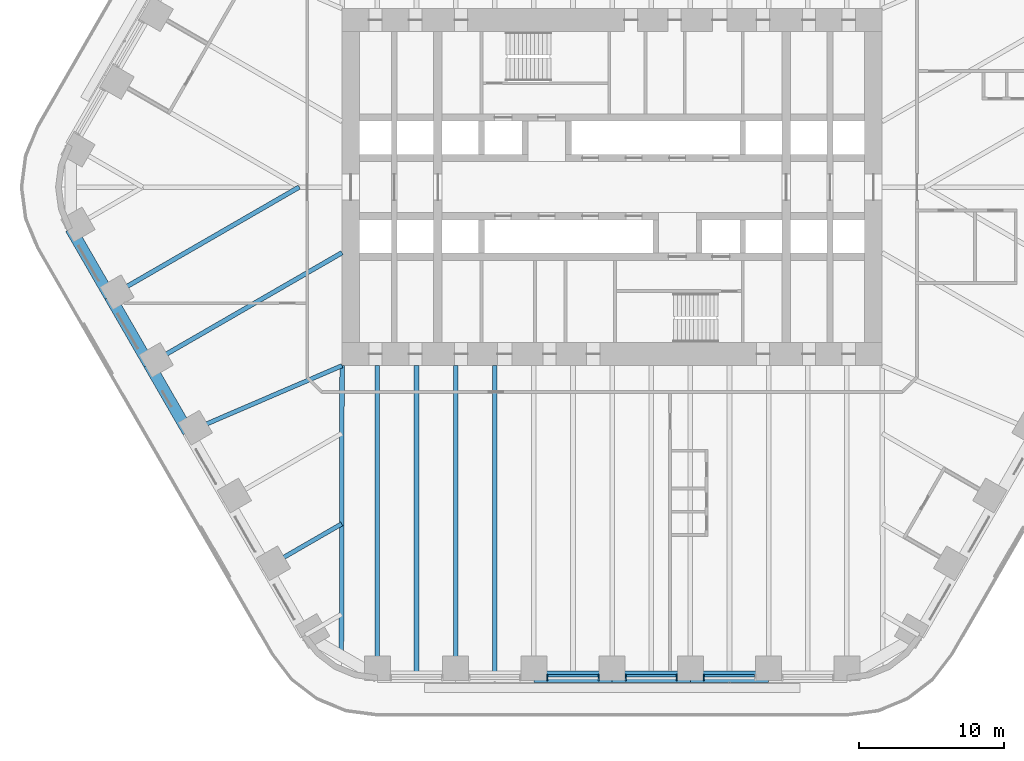
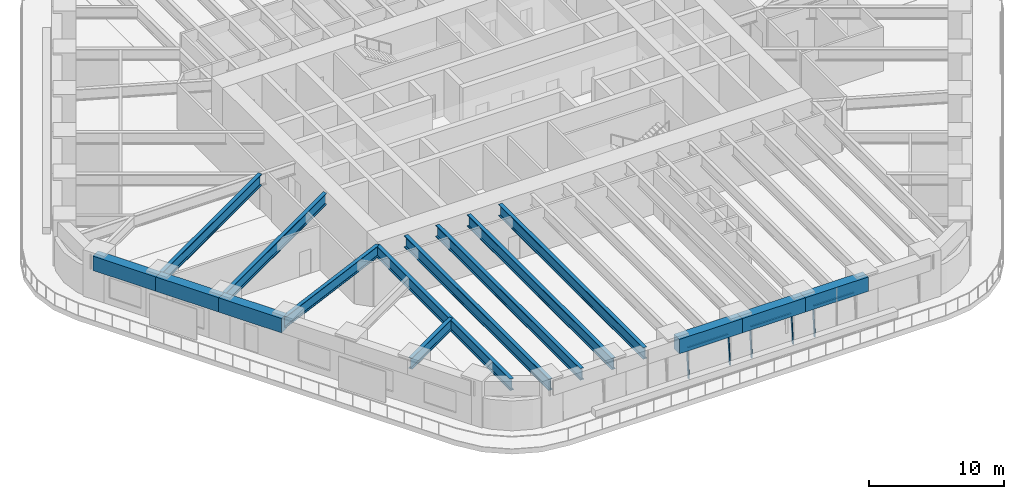
# One storey, part 3 of 24: 15 beams, 8 members, 3 elements without a shape of their own.
"""IFC4 building model written with IfcOpenShell, lengths in metres."""

from ifc_helpers import new_model, si_unit, direction, frame, origin, origin_2d, place, context, subcontext, project, spatial, rectangle, i_section, extrude, material, material_profile, profile_set, type_object, element, aggregate, save


model = new_model("IFC4")

# Units and contexts
model_context = context("Model", 3, precision=1e-05, world=origin(), true_north=direction((0.0, 1.0)))
body_context = subcontext(model_context, "Body", "Model", "MODEL_VIEW")
ifc_project = project(units=[si_unit("LENGTHUNIT", "METRE"), si_unit("AREAUNIT", "SQUARE_METRE"), si_unit("VOLUMEUNIT", "CUBIC_METRE"), si_unit("PLANEANGLEUNIT", "RADIAN"), si_unit("MASSUNIT", "GRAM", prefix="KILO")], contexts=[model_context])

# Site, building, storey
site_placement = place(None, origin())
site = spatial("IfcSite", under=ifc_project, at=site_placement, CompositionType="ELEMENT")
building_placement = place(site_placement, origin())
building = spatial("IfcBuilding", under=site, at=building_placement, Name="Tarfa Lantern Tower", CompositionType="ELEMENT")
storey_placement = place(building_placement, frame((0.0, 0.0, 94.89990234375)))
storey = spatial("IfcBuildingStorey", under=building, at=storey_placement, Name="L21", CompositionType="ELEMENT", Elevation=94.89990234375)

# Curtain wall, members
ifc_material_1 = material(Name="Aluminium framed curtain wall", Category="aluminium")
curtain_wall_type = type_object("IfcCurtainWallType", Name="CW1 CANTED GLAZING LOW ZONE 2700", PredefinedType="USERDEFINED", material=ifc_material_1)
curtain_wall_1_placement = place(storey_placement, origin())
curtain_wall_1 = element("IfcCurtainWall", 1, at=curtain_wall_1_placement, inside=storey, type_object=curtain_wall_type, Name="CW1 S L21", ObjectType="CURTAIN WALL", PredefinedType="USERDEFINED")
ifc_material_2 = material(Name="Aluminium mullion", Category="aluminium")
ifc_material_profile_1 = material_profile(ifc_material_2, rectangle(XDim=0.06494140625, YDim=0.199951171875, at=origin_2d()), Name="AL MULLION 65x200")
ifc_profile_set_1 = profile_set([ifc_material_profile_1], Name="Aluminium mullion")
member_type_1 = type_object("IfcMemberType", Name="CWM1 MULLION 65x200", PredefinedType="MULLION", material=ifc_profile_set_1)
member_1_placement = place(storey_placement, frame((-4.4560546875, -33.89990234375, 0.0), z_axis=(0.0, 0.092191598296, 0.995741286281), x_axis=(-1.0, 0.0, 0.0)))
member_1 = element("IfcMember", 2, at=member_1_placement, type_object=member_type_1, Name="CW1 mullion 1", PredefinedType="MULLION", context=body_context, shape_type="SweptSolid", body=[
    extrude(rectangle(XDim=0.06494140625, YDim=0.199951171875, at=origin_2d()), origin(), (0.0, 0.0, 1.0), 2.711669921875),
])
member_2_placement = place(storey_placement, frame((-0.9326171875, -33.89990234375, 0.0), z_axis=(0.0, 0.092191598296, 0.995741286281), x_axis=(-1.0, 0.0, 0.0)))
member_2 = element("IfcMember", 3, at=member_2_placement, type_object=member_type_1, Name="CW1 mullion 2", PredefinedType="MULLION", context=body_context, shape_type="SweptSolid", body=[
    extrude(rectangle(XDim=0.06494140625, YDim=0.199951171875, at=origin_2d()), origin(), (0.0, 0.0, 1.0), 2.711669921875),
])

curtain_wall_2_placement = place(storey_placement, origin())
curtain_wall_2 = element("IfcCurtainWall", 4, at=curtain_wall_2_placement, inside=storey, type_object=curtain_wall_type, Name="CW1 S L21", ObjectType="CURTAIN WALL", PredefinedType="USERDEFINED")
member_3_placement = place(storey_placement, frame((0.9326171875, -33.89990234375, 0.0), z_axis=(0.0, 0.092191598296, 0.995741286281), x_axis=(-1.0, 0.0, 0.0)))
member_3 = element("IfcMember", 5, at=member_3_placement, type_object=member_type_1, Name="CW1 mullion 1", PredefinedType="MULLION", context=body_context, shape_type="SweptSolid", body=[
    extrude(rectangle(XDim=0.06494140625, YDim=0.199951171875, at=origin_2d()), origin(), (0.0, 0.0, 1.0), 2.711669921875),
])
member_4_placement = place(storey_placement, frame((4.4560546875, -33.89990234375, 0.0), z_axis=(0.0, 0.092191598296, 0.995741286281), x_axis=(-1.0, 0.0, 0.0)))
member_4 = element("IfcMember", 6, at=member_4_placement, type_object=member_type_1, Name="CW1 mullion 2", PredefinedType="MULLION", context=body_context, shape_type="SweptSolid", body=[
    extrude(rectangle(XDim=0.06494140625, YDim=0.199951171875, at=origin_2d()), origin(), (0.0, 0.0, 1.0), 2.711669921875),
])

# Curtain wall, member
curtain_wall_3_placement = place(storey_placement, origin())
curtain_wall_3 = element("IfcCurtainWall", 7, at=curtain_wall_3_placement, inside=storey, type_object=curtain_wall_type, Name="CW1 S L21", ObjectType="CURTAIN WALL", PredefinedType="USERDEFINED")
member_5_placement = place(storey_placement, frame((6.321044921875, -33.89990234375, 0.0), z_axis=(0.0, 0.092191598296, 0.995741286281), x_axis=(-1.0, 0.0, 0.0)))
member_5 = element("IfcMember", 8, at=member_5_placement, type_object=member_type_1, Name="CW1 mullion 1", PredefinedType="MULLION", context=body_context, shape_type="SweptSolid", body=[
    extrude(rectangle(XDim=0.06494140625, YDim=0.199951171875, at=origin_2d()), origin(), (0.0, 0.0, 1.0), 2.711669921875),
])

# Member
ifc_material_3 = material(Name="Aluminium transom", Category="aluminium")
ifc_material_profile_2 = material_profile(ifc_material_3, rectangle(XDim=0.14990234375, YDim=0.06494140625, at=origin_2d()), Name="AL TRANSOM 150x65")
ifc_profile_set_2 = profile_set([ifc_material_profile_2], Name="Aluminium transom")
member_type_2 = type_object("IfcMemberType", Name="CWT1 TRANSOM 150x65", PredefinedType="USERDEFINED", material=ifc_profile_set_2)
member_6_placement = place(storey_placement, frame((-4.423583984375, -33.653076171875, 2.66748046875), z_axis=(1.0, 0.0, 0.0), x_axis=(0.0, 1.0, 0.0)))
member_6 = element("IfcMember", 9, at=member_6_placement, type_object=member_type_2, Name="CW1 transom 1.2", ObjectType="TRANSOM", PredefinedType="USERDEFINED", context=body_context, shape_type="SweptSolid", body=[
    extrude(rectangle(XDim=0.14990234375, YDim=0.06494140625, at=origin_2d()), origin(), (0.0, 0.0, 1.0), 3.45849609375),
])

aggregate(curtain_wall_1, [member_1, member_2, member_6])

member_7_placement = place(storey_placement, frame((0.965087890625, -33.653076171875, 2.66748046875), z_axis=(1.0, 0.0, 0.0), x_axis=(0.0, 1.0, 0.0)))
member_7 = element("IfcMember", 10, at=member_7_placement, type_object=member_type_2, Name="CW1 transom 1.2", ObjectType="TRANSOM", PredefinedType="USERDEFINED", context=body_context, shape_type="SweptSolid", body=[
    extrude(rectangle(XDim=0.14990234375, YDim=0.06494140625, at=origin_2d()), origin(), (0.0, 0.0, 1.0), 3.45849609375),
])

aggregate(curtain_wall_2, [member_3, member_4, member_7])

member_8_placement = place(storey_placement, frame((6.353515625, -33.653076171875, 2.66748046875), z_axis=(1.0, 0.0, 0.0), x_axis=(0.0, 1.0, 0.0)))
member_8 = element("IfcMember", 11, at=member_8_placement, type_object=member_type_2, Name="CW1 transom 1.2", ObjectType="TRANSOM", PredefinedType="USERDEFINED", context=body_context, shape_type="SweptSolid", body=[
    extrude(rectangle(XDim=0.14990234375, YDim=0.06494140625, at=origin_2d()), origin(), (0.0, 0.0, 1.0), 3.458740234375),
])

aggregate(curtain_wall_3, [member_5, member_8])

# Beams
ifc_material_4 = material(Name="Concrete C80/95", Category="concrete")
ifc_material_profile_3 = material_profile(ifc_material_4, rectangle(XDim=0.800048828125, YDim=1.300048828125, at=origin_2d()), Name="RC 800x1300")
ifc_profile_set_3 = profile_set([ifc_material_profile_3], Name="Concrete C80/95")
beam_type_1 = type_object("IfcBeamType", Name="EB1 RC 800x1300", PredefinedType="SPANDREL", material=ifc_profile_set_3)
beam_1_placement = place(storey_placement, frame((-37.285400390625, -2.860107421875, 3.35009765625), z_axis=(0.500017906299, -0.866015065331, 0.0), x_axis=(0.866015065331, 0.500017906299, 0.0)))
element("IfcBeam", 12, at=beam_1_placement, inside=storey, type_object=beam_type_1, Name="Edge beam SW0", PredefinedType="SPANDREL", context=body_context, shape_type="SweptSolid", body=[
    extrude(rectangle(XDim=0.800048828125, YDim=1.300048828125, at=origin_2d()), origin(), (0.0, 0.0, 1.0), 5.388427734375),
])
for number, where, z_axis, x_axis, name in (
    (13, (-34.591064453125, -7.526611328125, 3.35009765625), (0.499998287579, -0.866026392449, 0.0), (0.866026392449, 0.499998287579, 0.0), "Edge beam SW1"),
    (14, (-31.896728515625, -12.193359375, 3.35009765625), (0.499998287579, -0.866026392449, 0.0), (0.866026392449, 0.499998287579, 0.0), "Edge beam SW2"),
    (15, (-5.388671875, -33.719970703125, 3.35009765625), (1.0, 0.0, 0.0), (0.0, 1.0, 0.0), "Edge beam S2"),
    (16, (0.0, -33.719970703125, 3.35009765625), (1.0, 0.0, 0.0), (0.0, 1.0, 0.0), "Edge beam S3"),
):
    element("IfcBeam", number, at=place(storey_placement, frame(where, z_axis=z_axis, x_axis=x_axis)), inside=storey, type_object=beam_type_1, Name=name, PredefinedType="SPANDREL", context=body_context, shape_type="SweptSolid", body=[
        extrude(rectangle(XDim=0.800048828125, YDim=1.300048828125, at=origin_2d()), origin(), (0.0, 0.0, 1.0), 5.388671875),
    ])
beam_2_placement = place(storey_placement, frame((5.388671875, -33.719970703125, 3.35009765625), z_axis=(1.0, 0.0, 0.0), x_axis=(0.0, 1.0, 0.0)))
element("IfcBeam", 17, at=beam_2_placement, inside=storey, type_object=beam_type_1, Name="Edge beam S4", PredefinedType="SPANDREL", context=body_context, shape_type="SweptSolid", body=[
    extrude(rectangle(XDim=0.800048828125, YDim=1.300048828125, at=origin_2d()), origin(), (0.0, 0.0, 1.0), 5.388427734375),
])
ifc_material_5 = material(Name="Steel S460M", Category="steel")
ifc_material_profile_4 = material_profile(ifc_material_5, i_section(OverallWidth=0.302001953125, OverallDepth=1.008056640625, WebThickness=0.02099609375, FlangeThickness=0.0400390625, FilletRadius=0.030029296875, at=origin_2d()), Name="UB1016x305x349")
ifc_profile_set_4 = profile_set([ifc_material_profile_4], Name="Steel S460M")
beam_type_2 = type_object("IfcBeamType", Name="UB1016x305x349", PredefinedType="BEAM", material=ifc_profile_set_4)
beam_3_placement = place(storey_placement, frame((-29.202392578125, -16.860107421875, 3.49609375), z_axis=(0.918635483867, 0.395106122175, 0.0), x_axis=(-0.395106122175, 0.918635483867, 0.0)))
element("IfcBeam", 18, at=beam_3_placement, inside=storey, type_object=beam_type_2, Name="Floor beam SW3", PredefinedType="BEAM", context=body_context, shape_type="SweptSolid", body=[
    extrude(i_section(OverallWidth=0.302001953125, OverallDepth=1.008056640625, WebThickness=0.02099609375, FlangeThickness=0.0400390625, FilletRadius=0.030029296875, at=origin_2d()), origin(), (0.0, 0.0, 1.0), 11.541259765625),
])
beam_4_placement = place(storey_placement, frame((-23.813720703125, -26.193359375, 3.49609375), z_axis=(0.866015997389, 0.500016292001, 0.0), x_axis=(-0.500016292001, 0.866015997389, 0.0)))
element("IfcBeam", 19, at=beam_4_placement, inside=storey, type_object=beam_type_2, Name="Floor beam SW5", PredefinedType="BEAM", context=body_context, shape_type="SweptSolid", body=[
    extrude(i_section(OverallWidth=0.302001953125, OverallDepth=1.008056640625, WebThickness=0.02099609375, FlangeThickness=0.0400390625, FilletRadius=0.030029296875, at=origin_2d()), origin(), (0.0, 0.0, 1.0), 5.993408203125),
])
ifc_material_profile_5 = material_profile(ifc_material_5, i_section(OverallWidth=0.314208984375, OverallDepth=1.055908203125, WebThickness=0.035888671875, FlangeThickness=0.06396484375, FilletRadius=0.030029296875, at=origin_2d()), Name="UB1016x305x584")
ifc_profile_set_5 = profile_set([ifc_material_profile_5], Name="Steel S460M")
beam_type_3 = type_object("IfcBeamType", Name="UB1016x305x584", PredefinedType="BEAM", material=ifc_profile_set_5)
beam_5_placement = place(storey_placement, frame((-18.60009765625, -12.300048828125, 3.47216796875), z_axis=(-0.00212508222, -0.99999774201, 0.0), x_axis=(0.99999774201, -0.00212508222, 0.0)))
element("IfcBeam", 20, at=beam_5_placement, inside=storey, type_object=beam_type_3, Name="Hip girder SW", PredefinedType="BEAM", context=body_context, shape_type="SweptSolid", body=[
    extrude(i_section(OverallWidth=0.314208984375, OverallDepth=1.055908203125, WebThickness=0.035888671875, FlangeThickness=0.06396484375, FilletRadius=0.030029296875, at=origin_2d()), origin(), (0.0, 0.0, 1.0), 19.989990234375),
])
beam_6_placement = place(storey_placement, frame((-34.591064453125, -7.526611328125, 3.47216796875), z_axis=(0.86602785945, 0.499995746638, 0.0), x_axis=(-0.499995746638, 0.86602785945, 0.0)))
element("IfcBeam", 21, at=beam_6_placement, inside=storey, type_object=beam_type_3, Name="Floor beam SW1", PredefinedType="BEAM", context=body_context, shape_type="SweptSolid", body=[
    extrude(i_section(OverallWidth=0.314208984375, OverallDepth=1.055908203125, WebThickness=0.035888671875, FlangeThickness=0.06396484375, FilletRadius=0.030029296875, at=origin_2d()), origin(), (0.0, 0.0, 1.0), 15.053466796875),
])
beam_7_placement = place(storey_placement, frame((-31.896728515625, -12.193359375, 3.47216796875), z_axis=(0.866026971665, 0.499997284341, 0.0), x_axis=(-0.499997284341, 0.866026971665, 0.0)))
element("IfcBeam", 22, at=beam_7_placement, inside=storey, type_object=beam_type_3, Name="Floor beam SW2", PredefinedType="BEAM", context=body_context, shape_type="SweptSolid", body=[
    extrude(i_section(OverallWidth=0.314208984375, OverallDepth=1.055908203125, WebThickness=0.035888671875, FlangeThickness=0.06396484375, FilletRadius=0.030029296875, at=origin_2d()), origin(), (0.0, 0.0, 1.0), 15.353515625),
])
for number, where, z_axis, x_axis, name in (
    (23, (-16.165771484375, -33.719970703125, 3.47216796875), (0.0, 1.0, 0.0), (-1.0, 0.0, 0.0), "Floor beam S0"),
    (24, (-10.777099609375, -33.719970703125, 3.47216796875), (0.0, 1.0, 0.0), (-1.0, 0.0, 0.0), "Floor beam S1"),
    (25, (-13.471435546875, -33.719970703125, 3.47216796875), (0.0, 1.0, 0.0), (-1.0, 0.0, 0.0), "Floor beam S0M"),
    (26, (-8.0830078125, -33.719970703125, 3.47216796875), (0.0, 1.0, 0.0), (-1.0, 0.0, 0.0), "Floor beam S1M"),
):
    element("IfcBeam", number, at=place(storey_placement, frame(where, z_axis=z_axis, x_axis=x_axis)), inside=storey, type_object=beam_type_3, Name=name, PredefinedType="BEAM", context=body_context, shape_type="SweptSolid", body=[
        extrude(i_section(OverallWidth=0.314208984375, OverallDepth=1.055908203125, WebThickness=0.035888671875, FlangeThickness=0.06396484375, FilletRadius=0.030029296875, at=origin_2d()), origin(), (0.0, 0.0, 1.0), 21.419921875),
    ])

save(model, "model.ifc")
